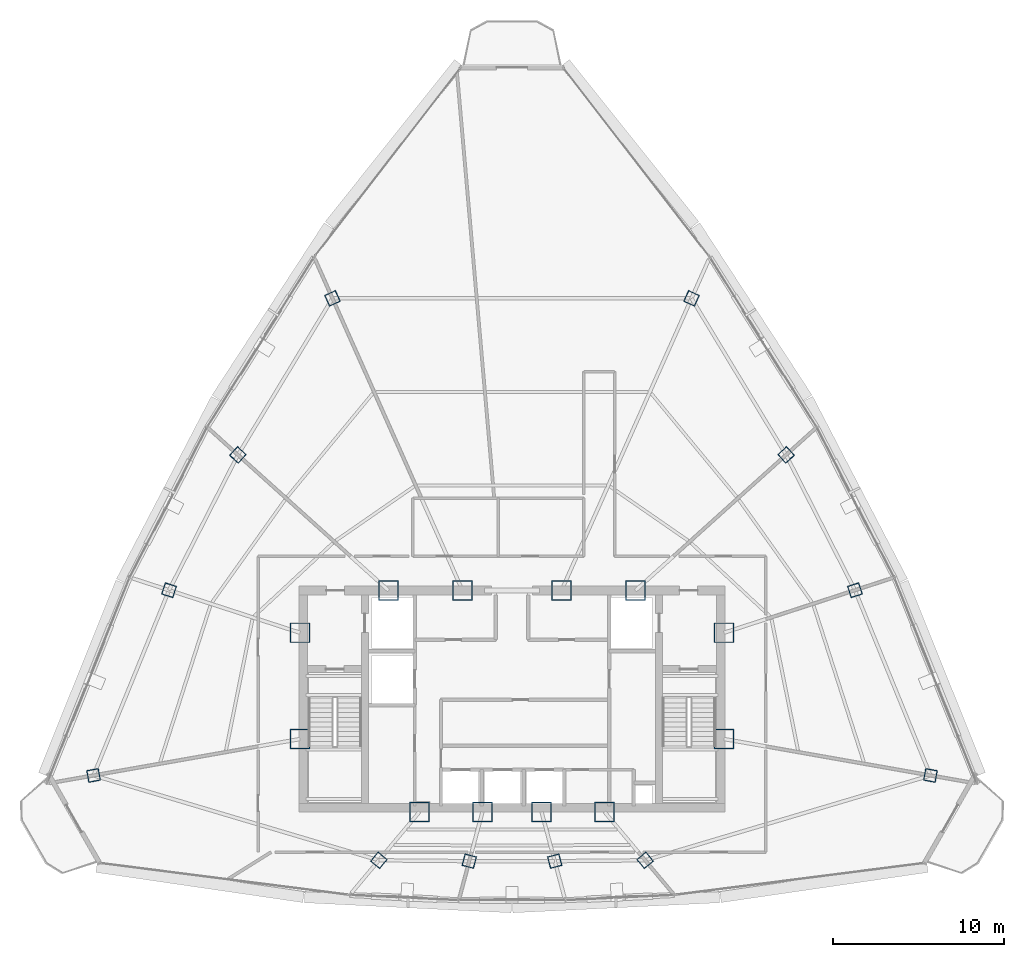
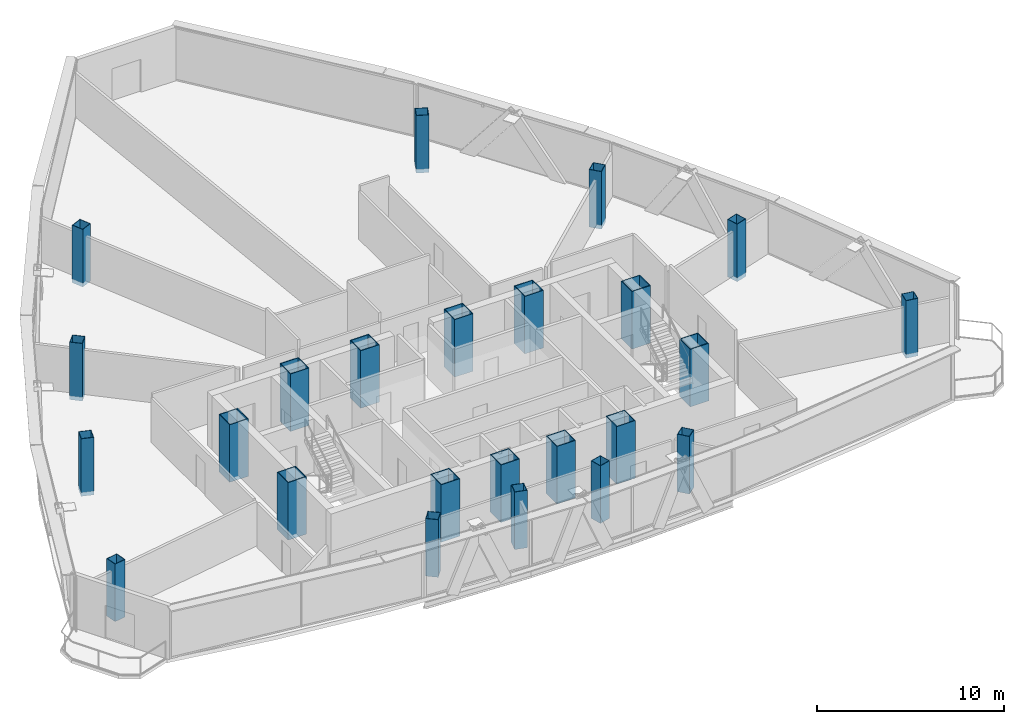
# One storey, part 1 of 30: 24 columns.
"""IFC4 building model written with IfcOpenShell, lengths in metres."""

from ifc_helpers import new_model, si_unit, direction, frame, origin, origin_2d, place, context, subcontext, project, spatial, hollow_rectangle, extrude, source, transform, mapped, material, material_profile, profile_set, type_object, element, save


model = new_model("IFC4")

# Units and contexts
model_context = context("Model", 3, precision=1e-05, world=origin(), true_north=direction((0.0, 1.0)))
body_context = subcontext(model_context, "Body", "Model", "MODEL_VIEW")
ifc_project = project(units=[si_unit("LENGTHUNIT", "METRE"), si_unit("AREAUNIT", "SQUARE_METRE"), si_unit("VOLUMEUNIT", "CUBIC_METRE"), si_unit("PLANEANGLEUNIT", "RADIAN"), si_unit("MASSUNIT", "GRAM", prefix="KILO"), si_unit("THERMODYNAMICTEMPERATUREUNIT", "KELVIN"), si_unit("POWERUNIT", "WATT")], contexts=[model_context])

# Site, building, storey
site_placement = place(None, origin())
site = spatial("IfcSite", under=ifc_project, at=site_placement, CompositionType="ELEMENT")
building_placement = place(site_placement, origin())
building = spatial("IfcBuilding", under=site, at=building_placement, Name="Yunzhuo Pagoda Commons", CompositionType="ELEMENT")
storey_placement = place(building_placement, frame((0.0, 0.0, 355.510009765625)))
storey = spatial("IfcBuildingStorey", under=building, at=storey_placement, Name="L89", CompositionType="ELEMENT", Elevation=355.510009765625)

# Columns
ifc_material_1 = material(Name="Structural steel Q420B", Category="steel")
ifc_material_profile_1 = material_profile(ifc_material_1, hollow_rectangle(XDim=1.14990234375, YDim=1.14990234375, WallThickness=0.048095703125, at=origin_2d()), Name="Structural steel Q420B")
ifc_profile_set_1 = profile_set([ifc_material_profile_1], Name="Structural steel Q420B")
column_type_1 = type_object("IfcColumnType", Name="C-COR Column BOX 1150x1150x48", PredefinedType="COLUMN", material=ifc_profile_set_1)
shared_shape_1 = source(origin(), body_context, "Body", "SweptSolid", [
    extrude(hollow_rectangle(XDim=1.14990234375, YDim=1.14990234375, WallThickness=0.048095703125, at=origin_2d()), origin(), (0.0, 0.0, 1.0), 3.75),
])
for number, where, z_axis, x_axis, name in (
    (1, (42.587890625, 27.25, -0.260009765625), (0.0, 0.0, 1.0), (1.0, 0.0, 0.0), "L89 core composite column F1C1"),
    (2, (46.27197265625, 27.25, -0.260009765625), (0.0, 0.0, 1.0), (1.0, 0.0, 0.0), "L89 core composite column F1C2"),
    (3, (49.728515625, 27.25, -0.260009765625), (0.0, 0.0, 1.0), (1.0, 0.0, 0.0), "L89 core composite column F1C3"),
    (4, (53.412109375, 27.25, -0.260009765625), (0.0, 0.0, 1.0), (1.0, 0.0, 0.0), "L89 core composite column F1C4"),
    (5, (60.39990234375, 31.513427734375, -0.260009765625), (0.0, 0.0, 1.0), (1.0, 0.0, 0.0), "L89 core composite column F2C1"),
    (6, (60.39990234375, 37.72900390625, -0.260009765625), (0.0, 0.0, 1.0), (1.0, 0.0, 0.0), "L89 core composite column F2C2"),
    (7, (55.218994140625, 40.199951171875, -0.260009765625), (0.0, 0.0, 1.0), (1.0, 0.0, 0.0), "L89 core composite column F2C3"),
    (8, (50.89404296875, 40.199951171875, -0.260009765625), (0.0, 0.0, 1.0), (1.0, 0.0, 0.0), "L89 core composite column F2C4"),
    (9, (45.10595703125, 40.199951171875, -0.260009765625), (0.0, 0.0, 1.0), (1.0, 0.0, 0.0), "L89 core composite column F3C1"),
    (10, (40.781005859375, 40.199951171875, -0.260009765625), (0.0, 0.0, 1.0), (1.0, 0.0, 0.0), "L89 core composite column F3C2"),
    (11, (35.60009765625, 37.72900390625, -0.260009765625), (0.0, 0.0, 1.0), (1.0, 0.0, 0.0), "L89 core composite column F3C3"),
    (12, (35.60009765625, 31.513427734375, -0.260009765625), (0.0, 0.0, 1.0), (1.0, 0.0, 0.0), "L89 core composite column F3C4"),
):
    element("IfcColumn", number, at=place(storey_placement, frame(where, z_axis=z_axis, x_axis=x_axis)), inside=storey, type_object=column_type_1, Name=name, PredefinedType="COLUMN", context=body_context, shape_type="MappedRepresentation", body=[
        mapped(shared_shape_1, transform((0.0, 0.0, 0.0), scale=1.0)),
    ])
ifc_material_2 = material(Name="Structural steel Q355B", Category="steel")
ifc_material_profile_2 = material_profile(ifc_material_2, hollow_rectangle(XDim=0.699951171875, YDim=0.699951171875, WallThickness=0.02587890625, at=origin_2d()), Name="Structural steel Q355B")
ifc_profile_set_2 = profile_set([ifc_material_profile_2], Name="Structural steel Q355B")
column_type_2 = type_object("IfcColumnType", Name="C-Z7 Column BOX 700x700x26", PredefinedType="COLUMN", material=ifc_profile_set_2)
shared_shape_2 = source(origin(), body_context, "Body", "SweptSolid", [
    extrude(hollow_rectangle(XDim=0.699951171875, YDim=0.699951171875, WallThickness=0.02587890625, at=origin_2d()), origin(), (0.0, 0.0, 1.0), 3.75),
])
for number, where, z_axis, x_axis, name in (
    (13, (40.214599609375, 24.421630859375, -0.260009765625), (0.0, 0.0, 1.0), (0.766044443119, -0.642787609687, 0.0), "L89 tower column F1C1"),
    (14, (45.500732421875, 24.372802734375, -0.260009765625), (0.0, 0.0, 1.0), (0.965925826289, -0.258819045103, 0.0), "L89 tower column F1C2"),
    (15, (50.499267578125, 24.372802734375, -0.260009765625), (0.0, 0.0, 1.0), (0.965925826289, 0.258819045103, 0.0), "L89 tower column F1C3"),
    (16, (55.785400390625, 24.421630859375, -0.260009765625), (0.0, 0.0, 1.0), (0.766044443119, 0.642787609687, 0.0), "L89 tower column F1C4"),
    (17, (72.47021484375, 29.38525390625, -0.260009765625), (0.0, 0.0, 1.0), (0.173648177667, 0.984807753012, 0.0), "L89 tower column F2C1"),
    (18, (68.053466796875, 40.2158203125, -0.260009765625), (0.0, 0.0, 1.0), (-0.309016994375, 0.951056516295, 0.0), "L89 tower column F2C2"),
    (19, (64.024658203125, 48.128662109375, -0.260009765625), (0.0, 0.0, 1.0), (-0.669130606359, 0.743144825477, 0.0), "L89 tower column F2C3"),
    (20, (58.498779296875, 57.281005859375, -0.260009765625), (0.0, 0.0, 1.0), (-0.913545457643, 0.406736643076, 0.0), "L89 tower column F2C4"),
    (21, (37.501220703125, 57.281005859375, -0.260009765625), (0.0, 0.0, 1.0), (-0.913545457643, -0.406736643076, 0.0), "L89 tower column F3C1"),
    (22, (31.975341796875, 48.128662109375, -0.260009765625), (0.0, 0.0, 1.0), (-0.669130606359, -0.743144825477, 0.0), "L89 tower column F3C2"),
    (23, (27.946533203125, 40.2158203125, -0.260009765625), (0.0, 0.0, 1.0), (-0.309016994375, -0.951056516295, 0.0), "L89 tower column F3C3"),
    (24, (23.52978515625, 29.38525390625, -0.260009765625), (0.0, 0.0, 1.0), (0.173648177667, -0.984807753012, 0.0), "L89 tower column F3C4"),
):
    element("IfcColumn", number, at=place(storey_placement, frame(where, z_axis=z_axis, x_axis=x_axis)), inside=storey, type_object=column_type_2, Name=name, PredefinedType="COLUMN", context=body_context, shape_type="MappedRepresentation", body=[
        mapped(shared_shape_2, transform((0.0, 0.0, 0.0), scale=1.0)),
    ])

save(model, "model.ifc")
